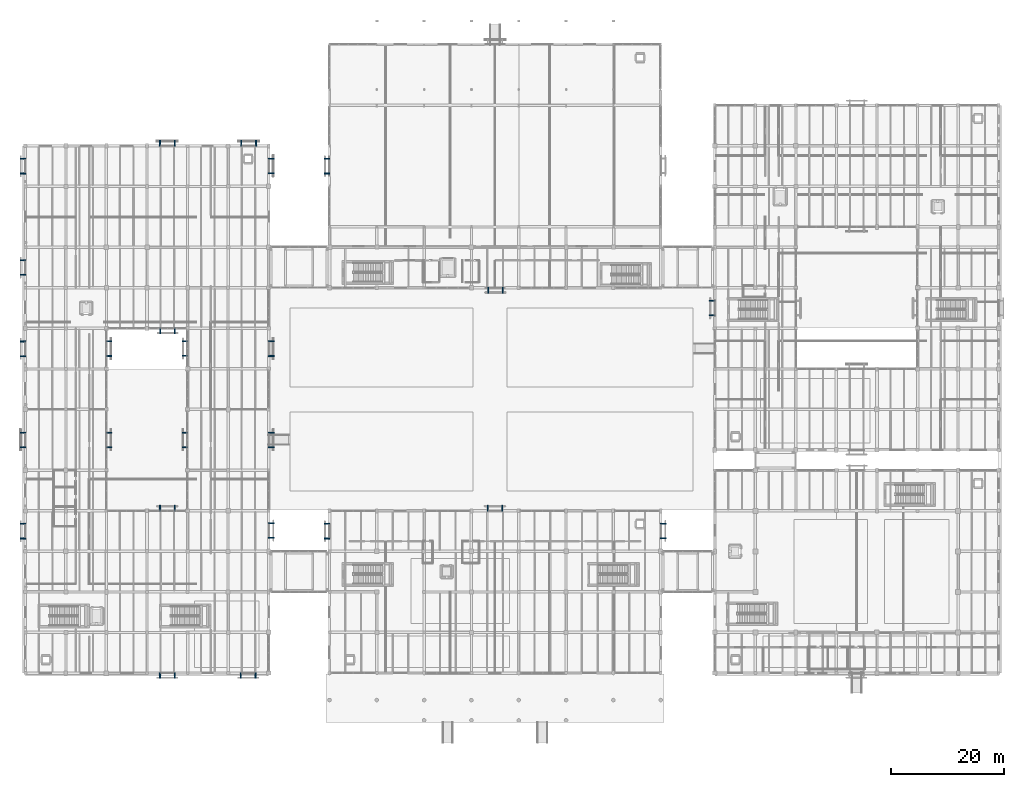
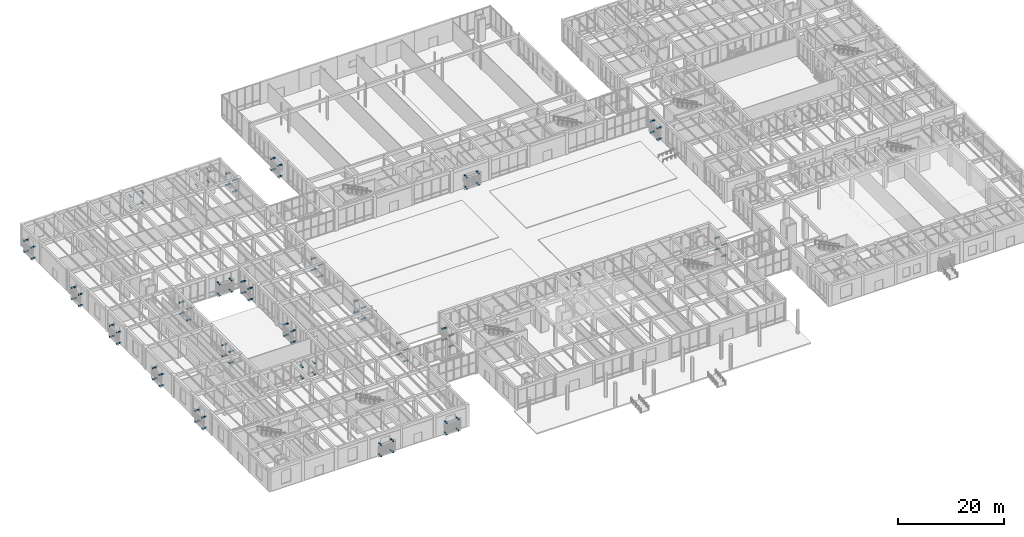
# One storey, part 136 of 169: 100 discrete accessories.
"""IFC4 building model written with IfcOpenShell, lengths in metres."""

from ifc_helpers import new_model, si_unit, direction, frame, origin, origin_2d, place, context, subcontext, project, spatial, rectangle, extrude, material, type_object, element, save


model = new_model("IFC4")

# Units and contexts
model_context = context("Model", 3, precision=1e-05, world=origin(), true_north=direction((0.0, 1.0)))
body_context = subcontext(model_context, "Body", "Model", "MODEL_VIEW")
ifc_project = project(units=[si_unit("LENGTHUNIT", "METRE"), si_unit("AREAUNIT", "SQUARE_METRE"), si_unit("VOLUMEUNIT", "CUBIC_METRE"), si_unit("PLANEANGLEUNIT", "RADIAN"), si_unit("MASSUNIT", "GRAM", prefix="KILO")], contexts=[model_context])

# Site, building, storey
site_placement = place(None, origin())
site = spatial("IfcSite", under=ifc_project, at=site_placement, CompositionType="ELEMENT")
building_placement = place(site_placement, origin())
building = spatial("IfcBuilding", under=site, at=building_placement, Name="Mazaris Harbour Polytechnic", CompositionType="ELEMENT")
storey_placement = place(building_placement, origin())
storey = spatial("IfcBuildingStorey", under=building, at=storey_placement, Name="L00", CompositionType="ELEMENT", Elevation=0.0)

# Discrete accessories
ifc_material = material(Name="Stainless Steel S355", Category="steel")
discrete_accessory_type = type_object("IfcDiscreteAccessoryType", Name="Stainless Screen Outrigger Bracket 200x1020x200", PredefinedType="BRACKET", material=ifc_material)
for number, where, z_axis, x_axis, name in (
    (1, (84.74609375, 75.159912109375, 0.16015625), (0.0, 0.0, 1.0), (-1.0, 0.0, 0.0), "Screen Outrigger Bracket 1"),
    (2, (84.74609375, 75.159912109375, 2.740234375), (0.0, 0.0, 1.0), (-1.0, 0.0, 0.0), "Screen Outrigger Bracket 2"),
    (3, (82.154052734375, 75.159912109375, 0.16015625), (0.0, 0.0, 1.0), (-1.0, 0.0, 0.0), "Screen Outrigger Bracket 3"),
    (4, (82.154052734375, 75.159912109375, 2.740234375), (0.0, 0.0, 1.0), (-1.0, 0.0, 0.0), "Screen Outrigger Bracket 4"),
    (5, (53.56005859375, 95.89404296875, 0.16015625), (0.0, 0.0, 1.0), (0.0, 1.0, 0.0), "Screen Outrigger Bracket 9"),
    (6, (53.56005859375, 95.89404296875, 2.740234375), (0.0, 0.0, 1.0), (0.0, 1.0, 0.0), "Screen Outrigger Bracket 10"),
    (7, (53.56005859375, 98.486083984375, 0.16015625), (0.0, 0.0, 1.0), (0.0, 1.0, 0.0), "Screen Outrigger Bracket 11"),
    (8, (53.56005859375, 98.486083984375, 2.740234375), (0.0, 0.0, 1.0), (0.0, 1.0, 0.0), "Screen Outrigger Bracket 12"),
    (9, (82.0791015625, 36.43994140625, 0.16015625), (0.0, 0.0, 1.0), (1.0, 0.0, 0.0), "Screen Outrigger Bracket 425"),
    (10, (82.0791015625, 36.43994140625, 2.740234375), (0.0, 0.0, 1.0), (1.0, 0.0, 0.0), "Screen Outrigger Bracket 426"),
    (11, (84.6708984375, 36.43994140625, 0.16015625), (0.0, 0.0, 1.0), (1.0, 0.0, 0.0), "Screen Outrigger Bracket 427"),
    (12, (84.6708984375, 36.43994140625, 2.740234375), (0.0, 0.0, 1.0), (1.0, 0.0, 0.0), "Screen Outrigger Bracket 428"),
    (13, (53.56005859375, 31.091552734375, 0.16015625), (0.0, 0.0, 1.0), (0.0, 1.0, 0.0), "Screen Outrigger Bracket 429"),
    (14, (53.56005859375, 31.091552734375, 2.740234375), (0.0, 0.0, 1.0), (0.0, 1.0, 0.0), "Screen Outrigger Bracket 430"),
    (15, (53.56005859375, 33.68359375, 0.16015625), (0.0, 0.0, 1.0), (0.0, 1.0, 0.0), "Screen Outrigger Bracket 431"),
    (16, (53.56005859375, 33.68359375, 2.740234375), (0.0, 0.0, 1.0), (0.0, 1.0, 0.0), "Screen Outrigger Bracket 432"),
    (17, (113.239990234375, 33.720947265625, 0.16015625), (0.0, 0.0, 1.0), (0.0, -1.0, 0.0), "Screen Outrigger Bracket 433"),
    (18, (113.239990234375, 33.720947265625, 2.740234375), (0.0, 0.0, 1.0), (0.0, -1.0, 0.0), "Screen Outrigger Bracket 434"),
    (19, (113.239990234375, 31.12890625, 0.16015625), (0.0, 0.0, 1.0), (0.0, -1.0, 0.0), "Screen Outrigger Bracket 435"),
    (20, (113.239990234375, 31.12890625, 2.740234375), (0.0, 0.0, 1.0), (0.0, -1.0, 0.0), "Screen Outrigger Bracket 436"),
    (21, (26.49609375, 6.760009765625, 0.16015625), (0.0, 0.0, 1.0), (-1.0, 0.0, 0.0), "Screen Outrigger Bracket 541"),
    (22, (26.49609375, 6.760009765625, 2.740234375), (0.0, 0.0, 1.0), (-1.0, 0.0, 0.0), "Screen Outrigger Bracket 542"),
    (23, (23.904052734375, 6.760009765625, 0.16015625), (0.0, 0.0, 1.0), (-1.0, 0.0, 0.0), "Screen Outrigger Bracket 543"),
    (24, (23.904052734375, 6.760009765625, 2.740234375), (0.0, 0.0, 1.0), (-1.0, 0.0, 0.0), "Screen Outrigger Bracket 544"),
    (25, (40.8583984375, 6.760009765625, 0.16015625), (0.0, 0.0, 1.0), (-1.0, 0.0, 0.0), "Screen Outrigger Bracket 545"),
    (26, (40.8583984375, 6.760009765625, 2.740234375), (0.0, 0.0, 1.0), (-1.0, 0.0, 0.0), "Screen Outrigger Bracket 546"),
    (27, (38.2666015625, 6.760009765625, 0.16015625), (0.0, 0.0, 1.0), (-1.0, 0.0, 0.0), "Screen Outrigger Bracket 547"),
    (28, (38.2666015625, 6.760009765625, 2.740234375), (0.0, 0.0, 1.0), (-1.0, 0.0, 0.0), "Screen Outrigger Bracket 548"),
    (29, (23.91650390625, 101.239990234375, 0.16015625), (0.0, 0.0, 1.0), (1.0, 0.0, 0.0), "Screen Outrigger Bracket 549"),
    (30, (23.91650390625, 101.239990234375, 2.740234375), (0.0, 0.0, 1.0), (1.0, 0.0, 0.0), "Screen Outrigger Bracket 550"),
    (31, (26.508544921875, 101.239990234375, 0.16015625), (0.0, 0.0, 1.0), (1.0, 0.0, 0.0), "Screen Outrigger Bracket 551"),
    (32, (26.508544921875, 101.239990234375, 2.740234375), (0.0, 0.0, 1.0), (1.0, 0.0, 0.0), "Screen Outrigger Bracket 552"),
    (33, (38.35400390625, 101.239990234375, 0.16015625), (0.0, 0.0, 1.0), (1.0, 0.0, 0.0), "Screen Outrigger Bracket 553"),
    (34, (38.35400390625, 101.239990234375, 2.740234375), (0.0, 0.0, 1.0), (1.0, 0.0, 0.0), "Screen Outrigger Bracket 554"),
    (35, (40.946044921875, 101.239990234375, 0.16015625), (0.0, 0.0, 1.0), (1.0, 0.0, 0.0), "Screen Outrigger Bracket 555"),
    (36, (40.946044921875, 101.239990234375, 2.740234375), (0.0, 0.0, 1.0), (1.0, 0.0, 0.0), "Screen Outrigger Bracket 556"),
    (37, (-0.43994140625, 31.091552734375, 0.16015625), (0.0, 0.0, 1.0), (0.0, 1.0, 0.0), "Screen Outrigger Bracket 557"),
    (38, (-0.43994140625, 31.091552734375, 2.740234375), (0.0, 0.0, 1.0), (0.0, 1.0, 0.0), "Screen Outrigger Bracket 558"),
    (39, (-0.43994140625, 33.68359375, 0.16015625), (0.0, 0.0, 1.0), (0.0, 1.0, 0.0), "Screen Outrigger Bracket 559"),
    (40, (-0.43994140625, 33.68359375, 2.740234375), (0.0, 0.0, 1.0), (0.0, 1.0, 0.0), "Screen Outrigger Bracket 560"),
    (41, (-0.43994140625, 47.29150390625, 0.16015625), (0.0, 0.0, 1.0), (0.0, 1.0, 0.0), "Screen Outrigger Bracket 561"),
    (42, (-0.43994140625, 47.29150390625, 2.740234375), (0.0, 0.0, 1.0), (0.0, 1.0, 0.0), "Screen Outrigger Bracket 562"),
    (43, (-0.43994140625, 49.883544921875, 0.16015625), (0.0, 0.0, 1.0), (0.0, 1.0, 0.0), "Screen Outrigger Bracket 563"),
    (44, (-0.43994140625, 49.883544921875, 2.740234375), (0.0, 0.0, 1.0), (0.0, 1.0, 0.0), "Screen Outrigger Bracket 564"),
    (45, (-0.43994140625, 63.466552734375, 0.16015625), (0.0, 0.0, 1.0), (0.0, 1.0, 0.0), "Screen Outrigger Bracket 565"),
    (46, (-0.43994140625, 63.466552734375, 2.740234375), (0.0, 0.0, 1.0), (0.0, 1.0, 0.0), "Screen Outrigger Bracket 566"),
    (47, (-0.43994140625, 66.05859375, 0.16015625), (0.0, 0.0, 1.0), (0.0, 1.0, 0.0), "Screen Outrigger Bracket 567"),
    (48, (-0.43994140625, 66.05859375, 2.740234375), (0.0, 0.0, 1.0), (0.0, 1.0, 0.0), "Screen Outrigger Bracket 568"),
    (49, (-0.43994140625, 77.8916015625, 0.16015625), (0.0, 0.0, 1.0), (0.0, 1.0, 0.0), "Screen Outrigger Bracket 569"),
    (50, (-0.43994140625, 77.8916015625, 2.740234375), (0.0, 0.0, 1.0), (0.0, 1.0, 0.0), "Screen Outrigger Bracket 570"),
    (51, (-0.43994140625, 80.4833984375, 0.16015625), (0.0, 0.0, 1.0), (0.0, 1.0, 0.0), "Screen Outrigger Bracket 571"),
    (52, (-0.43994140625, 80.4833984375, 2.740234375), (0.0, 0.0, 1.0), (0.0, 1.0, 0.0), "Screen Outrigger Bracket 572"),
    (53, (-0.43994140625, 95.8916015625, 0.16015625), (0.0, 0.0, 1.0), (0.0, 1.0, 0.0), "Screen Outrigger Bracket 573"),
    (54, (-0.43994140625, 95.8916015625, 2.740234375), (0.0, 0.0, 1.0), (0.0, 1.0, 0.0), "Screen Outrigger Bracket 574"),
    (55, (-0.43994140625, 98.4833984375, 0.16015625), (0.0, 0.0, 1.0), (0.0, 1.0, 0.0), "Screen Outrigger Bracket 575"),
    (56, (-0.43994140625, 98.4833984375, 2.740234375), (0.0, 0.0, 1.0), (0.0, 1.0, 0.0), "Screen Outrigger Bracket 576"),
    (57, (43.639892578125, 33.7958984375, 0.16015625), (0.0, 0.0, 1.0), (0.0, -1.0, 0.0), "Screen Outrigger Bracket 577"),
    (58, (43.639892578125, 33.7958984375, 2.740234375), (0.0, 0.0, 1.0), (0.0, -1.0, 0.0), "Screen Outrigger Bracket 578"),
    (59, (43.639892578125, 31.2041015625, 0.16015625), (0.0, 0.0, 1.0), (0.0, -1.0, 0.0), "Screen Outrigger Bracket 579"),
    (60, (43.639892578125, 31.2041015625, 2.740234375), (0.0, 0.0, 1.0), (0.0, -1.0, 0.0), "Screen Outrigger Bracket 580"),
    (61, (43.639892578125, 49.883544921875, 0.16015625), (0.0, 0.0, 1.0), (0.0, -1.0, 0.0), "Screen Outrigger Bracket 581"),
    (62, (43.639892578125, 49.883544921875, 2.740234375), (0.0, 0.0, 1.0), (0.0, -1.0, 0.0), "Screen Outrigger Bracket 582"),
    (63, (43.639892578125, 47.29150390625, 0.16015625), (0.0, 0.0, 1.0), (0.0, -1.0, 0.0), "Screen Outrigger Bracket 583"),
    (64, (43.639892578125, 47.29150390625, 2.740234375), (0.0, 0.0, 1.0), (0.0, -1.0, 0.0), "Screen Outrigger Bracket 584"),
    (65, (43.639892578125, 66.08349609375, 0.16015625), (0.0, 0.0, 1.0), (0.0, -1.0, 0.0), "Screen Outrigger Bracket 585"),
    (66, (43.639892578125, 66.08349609375, 2.740234375), (0.0, 0.0, 1.0), (0.0, -1.0, 0.0), "Screen Outrigger Bracket 586"),
    (67, (43.639892578125, 63.491455078125, 0.16015625), (0.0, 0.0, 1.0), (0.0, -1.0, 0.0), "Screen Outrigger Bracket 587"),
    (68, (43.639892578125, 63.491455078125, 2.740234375), (0.0, 0.0, 1.0), (0.0, -1.0, 0.0), "Screen Outrigger Bracket 588"),
    (69, (43.639892578125, 98.52099609375, 0.16015625), (0.0, 0.0, 1.0), (0.0, -1.0, 0.0), "Screen Outrigger Bracket 589"),
    (70, (43.639892578125, 98.52099609375, 2.740234375), (0.0, 0.0, 1.0), (0.0, -1.0, 0.0), "Screen Outrigger Bracket 590"),
    (71, (43.639892578125, 95.928955078125, 0.16015625), (0.0, 0.0, 1.0), (0.0, -1.0, 0.0), "Screen Outrigger Bracket 591"),
    (72, (43.639892578125, 95.928955078125, 2.740234375), (0.0, 0.0, 1.0), (0.0, -1.0, 0.0), "Screen Outrigger Bracket 592"),
    (73, (23.904052734375, 36.43994140625, 0.16015625), (0.0, 0.0, 1.0), (1.0, 0.0, 0.0), "Screen Outrigger Bracket 593"),
    (74, (23.904052734375, 36.43994140625, 2.740234375), (0.0, 0.0, 1.0), (1.0, 0.0, 0.0), "Screen Outrigger Bracket 594"),
    (75, (26.49609375, 36.43994140625, 0.16015625), (0.0, 0.0, 1.0), (1.0, 0.0, 0.0), "Screen Outrigger Bracket 595"),
    (76, (26.49609375, 36.43994140625, 2.740234375), (0.0, 0.0, 1.0), (1.0, 0.0, 0.0), "Screen Outrigger Bracket 596"),
    (77, (26.5458984375, 67.9599609375, 0.16015625), (0.0, 0.0, 1.0), (-1.0, 0.0, 0.0), "Screen Outrigger Bracket 597"),
    (78, (26.5458984375, 67.9599609375, 2.740234375), (0.0, 0.0, 1.0), (-1.0, 0.0, 0.0), "Screen Outrigger Bracket 598"),
    (79, (23.9541015625, 67.9599609375, 0.16015625), (0.0, 0.0, 1.0), (-1.0, 0.0, 0.0), "Screen Outrigger Bracket 599"),
    (80, (23.9541015625, 67.9599609375, 2.740234375), (0.0, 0.0, 1.0), (-1.0, 0.0, 0.0), "Screen Outrigger Bracket 600"),
    (81, (14.840087890625, 47.29150390625, 0.16015625), (0.0, 0.0, 1.0), (0.0, 1.0, 0.0), "Screen Outrigger Bracket 601"),
    (82, (14.840087890625, 47.29150390625, 2.740234375), (0.0, 0.0, 1.0), (0.0, 1.0, 0.0), "Screen Outrigger Bracket 602"),
    (83, (14.840087890625, 49.883544921875, 0.16015625), (0.0, 0.0, 1.0), (0.0, 1.0, 0.0), "Screen Outrigger Bracket 603"),
    (84, (14.840087890625, 49.883544921875, 2.740234375), (0.0, 0.0, 1.0), (0.0, 1.0, 0.0), "Screen Outrigger Bracket 604"),
    (85, (14.840087890625, 63.491455078125, 0.16015625), (0.0, 0.0, 1.0), (0.0, 1.0, 0.0), "Screen Outrigger Bracket 605"),
    (86, (14.840087890625, 63.491455078125, 2.740234375), (0.0, 0.0, 1.0), (0.0, 1.0, 0.0), "Screen Outrigger Bracket 606"),
    (87, (14.840087890625, 66.08349609375, 0.16015625), (0.0, 0.0, 1.0), (0.0, 1.0, 0.0), "Screen Outrigger Bracket 607"),
    (88, (14.840087890625, 66.08349609375, 2.740234375), (0.0, 0.0, 1.0), (0.0, 1.0, 0.0), "Screen Outrigger Bracket 608"),
    (89, (28.360107421875, 49.883544921875, 0.16015625), (0.0, 0.0, 1.0), (0.0, -1.0, 0.0), "Screen Outrigger Bracket 609"),
    (90, (28.360107421875, 49.883544921875, 2.740234375), (0.0, 0.0, 1.0), (0.0, -1.0, 0.0), "Screen Outrigger Bracket 610"),
    (91, (28.360107421875, 47.29150390625, 0.16015625), (0.0, 0.0, 1.0), (0.0, -1.0, 0.0), "Screen Outrigger Bracket 611"),
    (92, (28.360107421875, 47.29150390625, 2.740234375), (0.0, 0.0, 1.0), (0.0, -1.0, 0.0), "Screen Outrigger Bracket 612"),
    (93, (28.360107421875, 66.12109375, 0.16015625), (0.0, 0.0, 1.0), (0.0, -1.0, 0.0), "Screen Outrigger Bracket 613"),
    (94, (28.360107421875, 66.12109375, 2.740234375), (0.0, 0.0, 1.0), (0.0, -1.0, 0.0), "Screen Outrigger Bracket 614"),
    (95, (28.360107421875, 63.529052734375, 0.16015625), (0.0, 0.0, 1.0), (0.0, -1.0, 0.0), "Screen Outrigger Bracket 615"),
    (96, (28.360107421875, 63.529052734375, 2.740234375), (0.0, 0.0, 1.0), (0.0, -1.0, 0.0), "Screen Outrigger Bracket 616"),
    (97, (121.9599609375, 70.69140625, 0.16015625), (0.0, 0.0, 1.0), (0.0, 1.0, 0.0), "Screen Outrigger Bracket 1437"),
    (98, (121.9599609375, 70.69140625, 2.740234375), (0.0, 0.0, 1.0), (0.0, 1.0, 0.0), "Screen Outrigger Bracket 1438"),
    (99, (121.9599609375, 73.283447265625, 0.16015625), (0.0, 0.0, 1.0), (0.0, 1.0, 0.0), "Screen Outrigger Bracket 1439"),
    (100, (121.9599609375, 73.283447265625, 2.740234375), (0.0, 0.0, 1.0), (0.0, 1.0, 0.0), "Screen Outrigger Bracket 1440"),
):
    element("IfcDiscreteAccessory", number, at=place(storey_placement, frame(where, z_axis=z_axis, x_axis=x_axis)), inside=storey, type_object=discrete_accessory_type, Name=name, PredefinedType="BRACKET", context=body_context, shape_type="SweptSolid", body=[
        extrude(rectangle(XDim=0.199951171875, YDim=1.02001953125, at=origin_2d()), origin(), (0.0, 0.0, 1.0), 0.199951171875),
    ])

save(model, "model.ifc")
